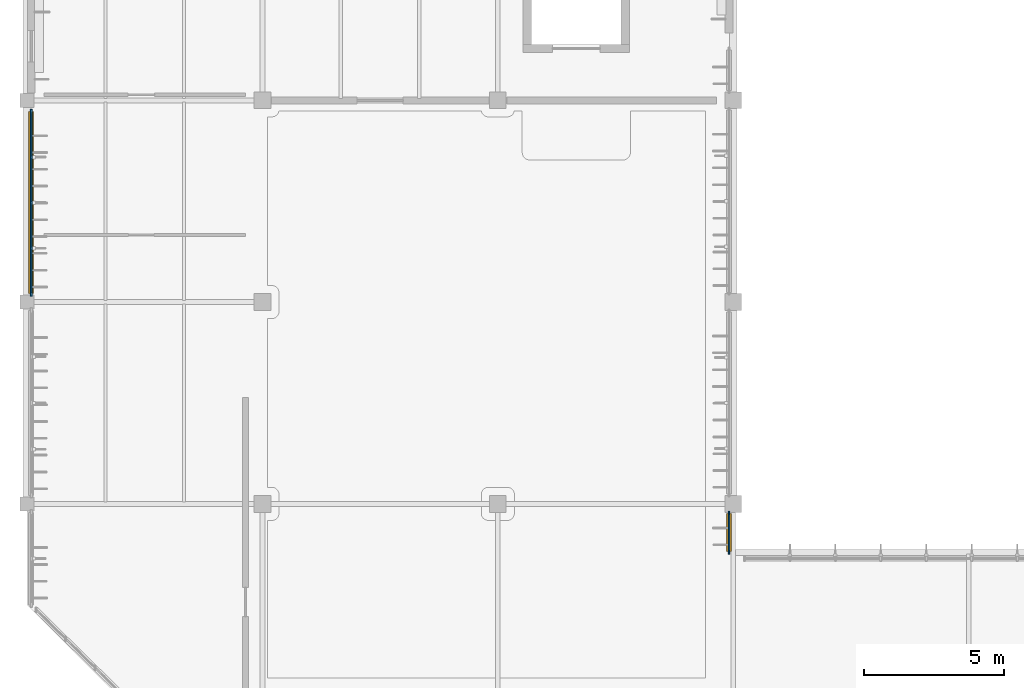
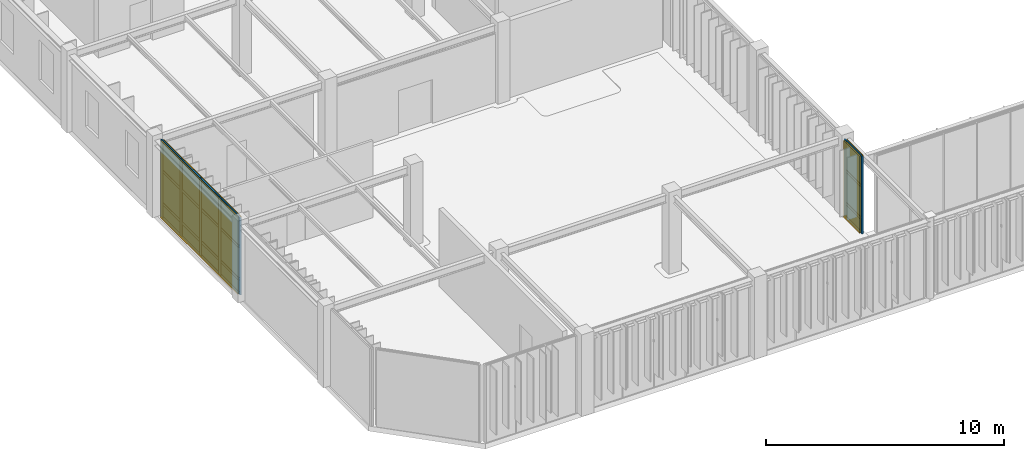
# One storey, part 67 of 104: 27 members, 15 plates, 2 curtain walls.
"""IFC4 building model written with IfcOpenShell, lengths in metres."""

from ifc_helpers import new_model, si_unit, direction, frame, frame_2d, origin, origin_2d, place, context, subcontext, project, spatial, rectangle, extrude, material, layer, layer_set, material_profile, profile_set, type_object, element, aggregate, save


model = new_model("IFC4")

# Units and contexts
model_context = context("Model", 3, precision=1e-05, world=origin(), true_north=direction((0.0, 1.0)))
body_context = subcontext(model_context, "Body", "Model", "MODEL_VIEW")
ifc_project = project(units=[si_unit("LENGTHUNIT", "METRE"), si_unit("AREAUNIT", "SQUARE_METRE"), si_unit("VOLUMEUNIT", "CUBIC_METRE"), si_unit("PLANEANGLEUNIT", "RADIAN"), si_unit("MASSUNIT", "GRAM", prefix="KILO")], contexts=[model_context])

# Member
ifc_material_1 = material(Name="Anodised Bronze Aluminium 6063-T6", Category="aluminium")
ifc_material_profile_1 = material_profile(ifc_material_1, rectangle(XDim=0.06005859375, YDim=0.179931640625, at=origin_2d()), Name="ALU MULLION 60x180")
ifc_profile_set_1 = profile_set([ifc_material_profile_1], Name="Anodised Bronze Aluminium 6063-T6")
member_type_1 = type_object("IfcMemberType", Name="Curtain-Wall Primary Mullion 60x180", PredefinedType="MULLION", material=ifc_profile_set_1)
site_placement = place(None, origin())
building_placement = place(site_placement, origin())
storey_placement = place(building_placement, frame((0.0, 0.0, 9.0)))
member_1_placement = place(storey_placement, frame((2.550048828125, 59.300048828125, 0.0), z_axis=(0.0, 0.0, 1.0), x_axis=(1.0, 0.0, 0.0)))
member_1 = element("IfcMember", 1, at=member_1_placement, type_object=member_type_1, Name="Mullion CWM-01 CW-V6-W1-L02-B3-M01", PredefinedType="MULLION", context=body_context, shape_type="SweptSolid", body=[
    extrude(rectangle(XDim=0.06005859375, YDim=0.179931640625, at=origin_2d()), origin(), (0.0, 0.0, 1.0), 3.9599609375),
])

member_2_placement = place(storey_placement, frame((2.550048828125, 60.925048828125, 0.0), z_axis=(0.0, 0.0, 1.0), x_axis=(1.0, 0.0, 0.0)))
member_2 = element("IfcMember", 2, at=member_2_placement, type_object=member_type_1, Name="Mullion CWM-01 CW-V6-W1-L02-B3-M02", PredefinedType="MULLION", context=body_context, shape_type="SweptSolid", body=[
    extrude(rectangle(XDim=0.06005859375, YDim=0.179931640625, at=origin_2d()), origin(), (0.0, 0.0, 1.0), 3.9599609375),
])

member_3_placement = place(storey_placement, frame((2.550048828125, 62.550048828125, 0.0), z_axis=(0.0, 0.0, 1.0), x_axis=(1.0, 0.0, 0.0)))
member_3 = element("IfcMember", 3, at=member_3_placement, type_object=member_type_1, Name="Mullion CWM-01 CW-V6-W1-L02-B3-M03", PredefinedType="MULLION", context=body_context, shape_type="SweptSolid", body=[
    extrude(rectangle(XDim=0.06005859375, YDim=0.179931640625, at=origin_2d()), origin(), (0.0, 0.0, 1.0), 3.9599609375),
])

member_4_placement = place(storey_placement, frame((2.550048828125, 64.175048828125, 0.0), z_axis=(0.0, 0.0, 1.0), x_axis=(1.0, 0.0, 0.0)))
member_4 = element("IfcMember", 4, at=member_4_placement, type_object=member_type_1, Name="Mullion CWM-01 CW-V6-W1-L02-B3-M04", PredefinedType="MULLION", context=body_context, shape_type="SweptSolid", body=[
    extrude(rectangle(XDim=0.06005859375, YDim=0.179931640625, at=origin_2d()), origin(), (0.0, 0.0, 1.0), 3.9599609375),
])

member_5_placement = place(storey_placement, frame((2.550048828125, 65.800048828125, 0.0), z_axis=(0.0, 0.0, 1.0), x_axis=(1.0, 0.0, 0.0)))
member_5 = element("IfcMember", 5, at=member_5_placement, type_object=member_type_1, Name="Mullion CWM-01 CW-V6-W1-L02-B3-M05", PredefinedType="MULLION", context=body_context, shape_type="SweptSolid", body=[
    extrude(rectangle(XDim=0.06005859375, YDim=0.179931640625, at=origin_2d()), origin(), (0.0, 0.0, 1.0), 3.9599609375),
])

member_6_placement = place(storey_placement, frame((27.449951171875, 50.10009765625, 0.0), z_axis=(0.0, 0.0, 1.0), x_axis=(1.0, 0.0, 0.0)))
member_6 = element("IfcMember", 6, at=member_6_placement, type_object=member_type_1, Name="Mullion CWM-01 CW-V6-E1-L02-B1-M01", PredefinedType="MULLION", context=body_context, shape_type="SweptSolid", body=[
    extrude(rectangle(XDim=0.06005859375, YDim=0.179931640625, at=origin_2d()), origin(), (0.0, 0.0, 1.0), 3.9599609375),
])

member_7_placement = place(storey_placement, frame((27.449951171875, 51.449951171875, 0.0), z_axis=(0.0, 0.0, 1.0), x_axis=(1.0, 0.0, 0.0)))
member_7 = element("IfcMember", 7, at=member_7_placement, type_object=member_type_1, Name="Mullion CWM-01 CW-V6-E1-L02-B1-M02", PredefinedType="MULLION", context=body_context, shape_type="SweptSolid", body=[
    extrude(rectangle(XDim=0.06005859375, YDim=0.179931640625, at=origin_2d()), origin(), (0.0, 0.0, 1.0), 3.9599609375),
])

ifc_material_profile_2 = material_profile(ifc_material_1, rectangle(XDim=0.06005859375, YDim=0.139892578125, at=origin_2d()), Name="ALU TRANSOM 60x140")
ifc_profile_set_2 = profile_set([ifc_material_profile_2], Name="Anodised Bronze Aluminium 6063-T6")
member_type_2 = type_object("IfcMemberType", Name="Curtain-Wall Transom 60x140", PredefinedType="USERDEFINED", material=ifc_profile_set_2)
member_8_placement = place(storey_placement, frame((2.550048828125, 59.3349609375, 0.0400390625), z_axis=(0.0, 1.0, 0.0), x_axis=(-1.0, 0.0, 0.0)))
member_8 = element("IfcMember", 8, at=member_8_placement, type_object=member_type_2, Name="Transom CWT-01 CW-V6-W1-L02-B3-T01.1", ObjectType="TRANSOM", PredefinedType="USERDEFINED", context=body_context, shape_type="SweptSolid", body=[
    extrude(rectangle(XDim=0.06005859375, YDim=0.139892578125, at=origin_2d()), origin(), (0.0, 0.0, 1.0), 1.554931640625),
])

member_9_placement = place(storey_placement, frame((2.550048828125, 59.3349609375, 0.75), z_axis=(0.0, 1.0, 0.0), x_axis=(-1.0, 0.0, 0.0)))
member_9 = element("IfcMember", 9, at=member_9_placement, type_object=member_type_2, Name="Transom CWT-01 CW-V6-W1-L02-B3-T01.2", ObjectType="TRANSOM", PredefinedType="USERDEFINED", context=body_context, shape_type="SweptSolid", body=[
    extrude(rectangle(XDim=0.06005859375, YDim=0.139892578125, at=origin_2d()), origin(), (0.0, 0.0, 1.0), 1.554931640625),
])

member_10_placement = place(storey_placement, frame((2.550048828125, 59.3349609375, 2.419189453125), z_axis=(0.0, 1.0, 0.0), x_axis=(-1.0, 0.0, 0.0)))
member_10 = element("IfcMember", 10, at=member_10_placement, type_object=member_type_2, Name="Transom CWT-01 CW-V6-W1-L02-B3-T01.3", ObjectType="TRANSOM", PredefinedType="USERDEFINED", context=body_context, shape_type="SweptSolid", body=[
    extrude(rectangle(XDim=0.06005859375, YDim=0.139892578125, at=origin_2d()), origin(), (0.0, 0.0, 1.0), 1.554931640625),
])

member_11_placement = place(storey_placement, frame((2.550048828125, 59.3349609375, 3.919921875), z_axis=(0.0, 1.0, 0.0), x_axis=(-1.0, 0.0, 0.0)))
member_11 = element("IfcMember", 11, at=member_11_placement, type_object=member_type_2, Name="Transom CWT-01 CW-V6-W1-L02-B3-T01.4", ObjectType="TRANSOM", PredefinedType="USERDEFINED", context=body_context, shape_type="SweptSolid", body=[
    extrude(rectangle(XDim=0.06005859375, YDim=0.139892578125, at=origin_2d()), origin(), (0.0, 0.0, 1.0), 1.554931640625),
])

member_12_placement = place(storey_placement, frame((2.550048828125, 60.9599609375, 0.0400390625), z_axis=(0.0, 1.0, 0.0), x_axis=(-1.0, 0.0, 0.0)))
member_12 = element("IfcMember", 12, at=member_12_placement, type_object=member_type_2, Name="Transom CWT-01 CW-V6-W1-L02-B3-T02.1", ObjectType="TRANSOM", PredefinedType="USERDEFINED", context=body_context, shape_type="SweptSolid", body=[
    extrude(rectangle(XDim=0.06005859375, YDim=0.139892578125, at=origin_2d()), origin(), (0.0, 0.0, 1.0), 1.554931640625),
])

member_13_placement = place(storey_placement, frame((2.550048828125, 60.9599609375, 0.75), z_axis=(0.0, 1.0, 0.0), x_axis=(-1.0, 0.0, 0.0)))
member_13 = element("IfcMember", 13, at=member_13_placement, type_object=member_type_2, Name="Transom CWT-01 CW-V6-W1-L02-B3-T02.2", ObjectType="TRANSOM", PredefinedType="USERDEFINED", context=body_context, shape_type="SweptSolid", body=[
    extrude(rectangle(XDim=0.06005859375, YDim=0.139892578125, at=origin_2d()), origin(), (0.0, 0.0, 1.0), 1.554931640625),
])

member_14_placement = place(storey_placement, frame((2.550048828125, 60.9599609375, 2.419189453125), z_axis=(0.0, 1.0, 0.0), x_axis=(-1.0, 0.0, 0.0)))
member_14 = element("IfcMember", 14, at=member_14_placement, type_object=member_type_2, Name="Transom CWT-01 CW-V6-W1-L02-B3-T02.3", ObjectType="TRANSOM", PredefinedType="USERDEFINED", context=body_context, shape_type="SweptSolid", body=[
    extrude(rectangle(XDim=0.06005859375, YDim=0.139892578125, at=origin_2d()), origin(), (0.0, 0.0, 1.0), 1.554931640625),
])

member_15_placement = place(storey_placement, frame((2.550048828125, 60.9599609375, 3.919921875), z_axis=(0.0, 1.0, 0.0), x_axis=(-1.0, 0.0, 0.0)))
member_15 = element("IfcMember", 15, at=member_15_placement, type_object=member_type_2, Name="Transom CWT-01 CW-V6-W1-L02-B3-T02.4", ObjectType="TRANSOM", PredefinedType="USERDEFINED", context=body_context, shape_type="SweptSolid", body=[
    extrude(rectangle(XDim=0.06005859375, YDim=0.139892578125, at=origin_2d()), origin(), (0.0, 0.0, 1.0), 1.554931640625),
])

member_16_placement = place(storey_placement, frame((2.550048828125, 62.5849609375, 0.0400390625), z_axis=(0.0, 1.0, 0.0), x_axis=(-1.0, 0.0, 0.0)))
member_16 = element("IfcMember", 16, at=member_16_placement, type_object=member_type_2, Name="Transom CWT-01 CW-V6-W1-L02-B3-T03.1", ObjectType="TRANSOM", PredefinedType="USERDEFINED", context=body_context, shape_type="SweptSolid", body=[
    extrude(rectangle(XDim=0.06005859375, YDim=0.139892578125, at=origin_2d()), origin(), (0.0, 0.0, 1.0), 1.554931640625),
])

member_17_placement = place(storey_placement, frame((2.550048828125, 62.5849609375, 0.75), z_axis=(0.0, 1.0, 0.0), x_axis=(-1.0, 0.0, 0.0)))
member_17 = element("IfcMember", 17, at=member_17_placement, type_object=member_type_2, Name="Transom CWT-01 CW-V6-W1-L02-B3-T03.2", ObjectType="TRANSOM", PredefinedType="USERDEFINED", context=body_context, shape_type="SweptSolid", body=[
    extrude(rectangle(XDim=0.06005859375, YDim=0.139892578125, at=origin_2d()), origin(), (0.0, 0.0, 1.0), 1.554931640625),
])

member_18_placement = place(storey_placement, frame((2.550048828125, 62.5849609375, 2.419189453125), z_axis=(0.0, 1.0, 0.0), x_axis=(-1.0, 0.0, 0.0)))
member_18 = element("IfcMember", 18, at=member_18_placement, type_object=member_type_2, Name="Transom CWT-01 CW-V6-W1-L02-B3-T03.3", ObjectType="TRANSOM", PredefinedType="USERDEFINED", context=body_context, shape_type="SweptSolid", body=[
    extrude(rectangle(XDim=0.06005859375, YDim=0.139892578125, at=origin_2d()), origin(), (0.0, 0.0, 1.0), 1.554931640625),
])

member_19_placement = place(storey_placement, frame((2.550048828125, 62.5849609375, 3.919921875), z_axis=(0.0, 1.0, 0.0), x_axis=(-1.0, 0.0, 0.0)))
member_19 = element("IfcMember", 19, at=member_19_placement, type_object=member_type_2, Name="Transom CWT-01 CW-V6-W1-L02-B3-T03.4", ObjectType="TRANSOM", PredefinedType="USERDEFINED", context=body_context, shape_type="SweptSolid", body=[
    extrude(rectangle(XDim=0.06005859375, YDim=0.139892578125, at=origin_2d()), origin(), (0.0, 0.0, 1.0), 1.554931640625),
])

member_20_placement = place(storey_placement, frame((2.550048828125, 64.2099609375, 0.0400390625), z_axis=(0.0, 1.0, 0.0), x_axis=(-1.0, 0.0, 0.0)))
member_20 = element("IfcMember", 20, at=member_20_placement, type_object=member_type_2, Name="Transom CWT-01 CW-V6-W1-L02-B3-T04.1", ObjectType="TRANSOM", PredefinedType="USERDEFINED", context=body_context, shape_type="SweptSolid", body=[
    extrude(rectangle(XDim=0.06005859375, YDim=0.139892578125, at=origin_2d()), origin(), (0.0, 0.0, 1.0), 1.554931640625),
])

member_21_placement = place(storey_placement, frame((2.550048828125, 64.2099609375, 0.75), z_axis=(0.0, 1.0, 0.0), x_axis=(-1.0, 0.0, 0.0)))
member_21 = element("IfcMember", 21, at=member_21_placement, type_object=member_type_2, Name="Transom CWT-01 CW-V6-W1-L02-B3-T04.2", ObjectType="TRANSOM", PredefinedType="USERDEFINED", context=body_context, shape_type="SweptSolid", body=[
    extrude(rectangle(XDim=0.06005859375, YDim=0.139892578125, at=origin_2d()), origin(), (0.0, 0.0, 1.0), 1.554931640625),
])

member_22_placement = place(storey_placement, frame((2.550048828125, 64.2099609375, 2.419189453125), z_axis=(0.0, 1.0, 0.0), x_axis=(-1.0, 0.0, 0.0)))
member_22 = element("IfcMember", 22, at=member_22_placement, type_object=member_type_2, Name="Transom CWT-01 CW-V6-W1-L02-B3-T04.3", ObjectType="TRANSOM", PredefinedType="USERDEFINED", context=body_context, shape_type="SweptSolid", body=[
    extrude(rectangle(XDim=0.06005859375, YDim=0.139892578125, at=origin_2d()), origin(), (0.0, 0.0, 1.0), 1.554931640625),
])

member_23_placement = place(storey_placement, frame((2.550048828125, 64.2099609375, 3.919921875), z_axis=(0.0, 1.0, 0.0), x_axis=(-1.0, 0.0, 0.0)))
member_23 = element("IfcMember", 23, at=member_23_placement, type_object=member_type_2, Name="Transom CWT-01 CW-V6-W1-L02-B3-T04.4", ObjectType="TRANSOM", PredefinedType="USERDEFINED", context=body_context, shape_type="SweptSolid", body=[
    extrude(rectangle(XDim=0.06005859375, YDim=0.139892578125, at=origin_2d()), origin(), (0.0, 0.0, 1.0), 1.554931640625),
])

member_24_placement = place(storey_placement, frame((27.449951171875, 50.135009765625, 0.0400390625), z_axis=(0.0, 1.0, 0.0), x_axis=(-1.0, 0.0, 0.0)))
member_24 = element("IfcMember", 24, at=member_24_placement, type_object=member_type_2, Name="Transom CWT-01 CW-V6-E1-L02-B1-T01.1", ObjectType="TRANSOM", PredefinedType="USERDEFINED", context=body_context, shape_type="SweptSolid", body=[
    extrude(rectangle(XDim=0.06005859375, YDim=0.139892578125, at=origin_2d()), origin(), (0.0, 0.0, 1.0), 1.280029296875),
])

member_25_placement = place(storey_placement, frame((27.449951171875, 50.135009765625, 0.75), z_axis=(0.0, 1.0, 0.0), x_axis=(-1.0, 0.0, 0.0)))
member_25 = element("IfcMember", 25, at=member_25_placement, type_object=member_type_2, Name="Transom CWT-01 CW-V6-E1-L02-B1-T01.2", ObjectType="TRANSOM", PredefinedType="USERDEFINED", context=body_context, shape_type="SweptSolid", body=[
    extrude(rectangle(XDim=0.06005859375, YDim=0.139892578125, at=origin_2d()), origin(), (0.0, 0.0, 1.0), 1.280029296875),
])

member_26_placement = place(storey_placement, frame((27.449951171875, 50.135009765625, 2.419189453125), z_axis=(0.0, 1.0, 0.0), x_axis=(-1.0, 0.0, 0.0)))
member_26 = element("IfcMember", 26, at=member_26_placement, type_object=member_type_2, Name="Transom CWT-01 CW-V6-E1-L02-B1-T01.3", ObjectType="TRANSOM", PredefinedType="USERDEFINED", context=body_context, shape_type="SweptSolid", body=[
    extrude(rectangle(XDim=0.06005859375, YDim=0.139892578125, at=origin_2d()), origin(), (0.0, 0.0, 1.0), 1.280029296875),
])

member_27_placement = place(storey_placement, frame((27.449951171875, 50.135009765625, 3.919921875), z_axis=(0.0, 1.0, 0.0), x_axis=(-1.0, 0.0, 0.0)))
member_27 = element("IfcMember", 27, at=member_27_placement, type_object=member_type_2, Name="Transom CWT-01 CW-V6-E1-L02-B1-T01.4", ObjectType="TRANSOM", PredefinedType="USERDEFINED", context=body_context, shape_type="SweptSolid", body=[
    extrude(rectangle(XDim=0.06005859375, YDim=0.139892578125, at=origin_2d()), origin(), (0.0, 0.0, 1.0), 1.280029296875),
])

# Plate
ifc_material_2 = material(Name="Insulated Bronze Aluminium Spandrel Panel", Category="aluminium")
ifc_layer_1 = layer(ifc_material_2, 0.050048828125, Name="Insulated Bronze Aluminium Spandrel Panel")
ifc_layer_set_1 = layer_set([ifc_layer_1], Name="Insulated Bronze Aluminium Spandrel Panel")
plate_type_1 = type_object("IfcPlateType", Name="Insulated Anodised Aluminium Spandrel Cassette 50", PredefinedType="CURTAIN_PANEL", material=ifc_layer_set_1)
plate_1_placement = place(storey_placement, frame((2.550048828125, 60.112548828125, 0.070068359375), z_axis=(0.0, 0.0, 1.0), x_axis=(0.0, 1.0, 0.0)))
plate_1 = element("IfcPlate", 28, at=plate_1_placement, type_object=plate_type_1, Name="Curtain Panel CWP-03 CW-V6-W1-L02-B3-P01.1", PredefinedType="CURTAIN_PANEL", context=body_context, shape_type="SweptSolid", body=[
    extrude(rectangle(XDim=1.554931640625, YDim=0.050048828125, at=origin_2d()), origin(), (0.0, 0.0, 1.0), 0.64990234375),
])

plate_2_placement = place(storey_placement, frame((2.550048828125, 61.737548828125, 0.070068359375), z_axis=(0.0, 0.0, 1.0), x_axis=(0.0, 1.0, 0.0)))
plate_2 = element("IfcPlate", 29, at=plate_2_placement, type_object=plate_type_1, Name="Curtain Panel CWP-03 CW-V6-W1-L02-B3-P02.1", PredefinedType="CURTAIN_PANEL", context=body_context, shape_type="SweptSolid", body=[
    extrude(rectangle(XDim=1.554931640625, YDim=0.050048828125, at=origin_2d()), origin(), (0.0, 0.0, 1.0), 0.64990234375),
])

plate_3_placement = place(storey_placement, frame((2.550048828125, 63.362548828125, 0.070068359375), z_axis=(0.0, 0.0, 1.0), x_axis=(0.0, 1.0, 0.0)))
plate_3 = element("IfcPlate", 30, at=plate_3_placement, type_object=plate_type_1, Name="Curtain Panel CWP-03 CW-V6-W1-L02-B3-P03.1", PredefinedType="CURTAIN_PANEL", context=body_context, shape_type="SweptSolid", body=[
    extrude(rectangle(XDim=1.554931640625, YDim=0.050048828125, at=origin_2d()), origin(), (0.0, 0.0, 1.0), 0.64990234375),
])

plate_4_placement = place(storey_placement, frame((2.550048828125, 64.987548828125, 0.070068359375), z_axis=(0.0, 0.0, 1.0), x_axis=(0.0, 1.0, 0.0)))
plate_4 = element("IfcPlate", 31, at=plate_4_placement, type_object=plate_type_1, Name="Curtain Panel CWP-03 CW-V6-W1-L02-B3-P04.1", PredefinedType="CURTAIN_PANEL", context=body_context, shape_type="SweptSolid", body=[
    extrude(rectangle(XDim=1.554931640625, YDim=0.050048828125, at=origin_2d()), origin(), (0.0, 0.0, 1.0), 0.64990234375),
])

plate_5_placement = place(storey_placement, frame((27.449951171875, 50.77490234375, 0.070068359375), z_axis=(0.0, 0.0, 1.0), x_axis=(0.0, 1.0, 0.0)))
plate_5 = element("IfcPlate", 32, at=plate_5_placement, type_object=plate_type_1, Name="Curtain Panel CWP-03 CW-V6-E1-L02-B1-P01.1", PredefinedType="CURTAIN_PANEL", context=body_context, shape_type="SweptSolid", body=[
    extrude(rectangle(XDim=1.280029296875, YDim=0.050048828125, at=origin_2d()), origin(), (0.0, 0.0, 1.0), 0.64990234375),
])

ifc_material_3 = material(Name="Solar-Control Tempered Double Glazing", Category="glass")
ifc_layer_2 = layer(ifc_material_3, 0.0380859375, Name="Solar-Control Tempered Double Glazing")
ifc_layer_set_2 = layer_set([ifc_layer_2], Name="Solar-Control Tempered Double Glazing")
plate_type_2 = type_object("IfcPlateType", Name="Solar-Control Vision Glazing Unit 38", PredefinedType="CURTAIN_PANEL", material=ifc_layer_set_2)
plate_6_placement = place(storey_placement, frame((2.550048828125, 60.112548828125, 0.7802734375), z_axis=(0.0, 0.0, 1.0), x_axis=(0.0, 1.0, 0.0)))
plate_6 = element("IfcPlate", 33, at=plate_6_placement, type_object=plate_type_2, Name="Curtain Panel CWP-02 CW-V6-W1-L02-B3-P01.2", PredefinedType="CURTAIN_PANEL", context=body_context, shape_type="SweptSolid", body=[
    extrude(rectangle(XDim=1.554931640625, YDim=0.0380859375, at=origin_2d()), origin(), (0.0, 0.0, 1.0), 1.609130859375),
])

plate_7_placement = place(storey_placement, frame((2.550048828125, 60.112548828125, 2.44921875), z_axis=(0.0, 0.0, 1.0), x_axis=(0.0, 1.0, 0.0)))
plate_7 = element("IfcPlate", 34, at=plate_7_placement, type_object=plate_type_2, Name="Curtain Panel CWP-02 CW-V6-W1-L02-B3-P01.3", PredefinedType="CURTAIN_PANEL", context=body_context, shape_type="SweptSolid", body=[
    extrude(rectangle(XDim=1.554931640625, YDim=0.0380859375, at=origin_2d()), origin(), (0.0, 0.0, 1.0), 1.44091796875),
])

plate_8_placement = place(storey_placement, frame((2.550048828125, 61.737548828125, 0.7802734375), z_axis=(0.0, 0.0, 1.0), x_axis=(0.0, 1.0, 0.0)))
plate_8 = element("IfcPlate", 35, at=plate_8_placement, type_object=plate_type_2, Name="Curtain Panel CWP-02 CW-V6-W1-L02-B3-P02.2", PredefinedType="CURTAIN_PANEL", context=body_context, shape_type="SweptSolid", body=[
    extrude(rectangle(XDim=1.554931640625, YDim=0.0380859375, at=origin_2d()), origin(), (0.0, 0.0, 1.0), 1.609130859375),
])

plate_9_placement = place(storey_placement, frame((2.550048828125, 61.737548828125, 2.44921875), z_axis=(0.0, 0.0, 1.0), x_axis=(0.0, 1.0, 0.0)))
plate_9 = element("IfcPlate", 36, at=plate_9_placement, type_object=plate_type_2, Name="Curtain Panel CWP-02 CW-V6-W1-L02-B3-P02.3", PredefinedType="CURTAIN_PANEL", context=body_context, shape_type="SweptSolid", body=[
    extrude(rectangle(XDim=1.554931640625, YDim=0.0380859375, at=origin_2d()), origin(), (0.0, 0.0, 1.0), 1.44091796875),
])

plate_10_placement = place(storey_placement, frame((2.550048828125, 63.362548828125, 0.7802734375), z_axis=(0.0, 0.0, 1.0), x_axis=(0.0, 1.0, 0.0)))
plate_10 = element("IfcPlate", 37, at=plate_10_placement, type_object=plate_type_2, Name="Curtain Panel CWP-02 CW-V6-W1-L02-B3-P03.2", PredefinedType="CURTAIN_PANEL", context=body_context, shape_type="SweptSolid", body=[
    extrude(rectangle(XDim=1.554931640625, YDim=0.0380859375, at=origin_2d()), origin(), (0.0, 0.0, 1.0), 1.609130859375),
])

plate_11_placement = place(storey_placement, frame((2.550048828125, 63.362548828125, 2.44921875), z_axis=(0.0, 0.0, 1.0), x_axis=(0.0, 1.0, 0.0)))
plate_11 = element("IfcPlate", 38, at=plate_11_placement, type_object=plate_type_2, Name="Curtain Panel CWP-02 CW-V6-W1-L02-B3-P03.3", PredefinedType="CURTAIN_PANEL", context=body_context, shape_type="SweptSolid", body=[
    extrude(rectangle(XDim=1.554931640625, YDim=0.0380859375, at=origin_2d()), origin(), (0.0, 0.0, 1.0), 1.44091796875),
])

plate_12_placement = place(storey_placement, frame((2.550048828125, 64.987548828125, 0.7802734375), z_axis=(0.0, 0.0, 1.0), x_axis=(0.0, 1.0, 0.0)))
plate_12 = element("IfcPlate", 39, at=plate_12_placement, type_object=plate_type_2, Name="Curtain Panel CWP-02 CW-V6-W1-L02-B3-P04.2", PredefinedType="CURTAIN_PANEL", context=body_context, shape_type="SweptSolid", body=[
    extrude(rectangle(XDim=1.554931640625, YDim=0.0380859375, at=origin_2d()), origin(), (0.0, 0.0, 1.0), 1.609130859375),
])

plate_13_placement = place(storey_placement, frame((2.550048828125, 64.987548828125, 2.44921875), z_axis=(0.0, 0.0, 1.0), x_axis=(0.0, 1.0, 0.0)))
plate_13 = element("IfcPlate", 40, at=plate_13_placement, type_object=plate_type_2, Name="Curtain Panel CWP-02 CW-V6-W1-L02-B3-P04.3", PredefinedType="CURTAIN_PANEL", context=body_context, shape_type="SweptSolid", body=[
    extrude(rectangle(XDim=1.554931640625, YDim=0.0380859375, at=origin_2d()), origin(), (0.0, 0.0, 1.0), 1.44091796875),
])

plate_14_placement = place(storey_placement, frame((27.449951171875, 50.77490234375, 0.7802734375), z_axis=(0.0, 0.0, 1.0), x_axis=(0.0, 1.0, 0.0)))
plate_14 = element("IfcPlate", 41, at=plate_14_placement, type_object=plate_type_2, Name="Curtain Panel CWP-02 CW-V6-E1-L02-B1-P01.2", PredefinedType="CURTAIN_PANEL", context=body_context, shape_type="SweptSolid", body=[
    extrude(rectangle(XDim=1.280029296875, YDim=0.0380859375, at=origin_2d()), origin(), (0.0, 0.0, 1.0), 1.609130859375),
])

plate_15_placement = place(storey_placement, frame((27.449951171875, 50.77490234375, 2.44921875), z_axis=(0.0, 0.0, 1.0), x_axis=(0.0, 1.0, 0.0)))
plate_15 = element("IfcPlate", 42, at=plate_15_placement, type_object=plate_type_2, Name="Curtain Panel CWP-02 CW-V6-E1-L02-B1-P01.3", PredefinedType="CURTAIN_PANEL", context=body_context, shape_type="SweptSolid", body=[
    extrude(rectangle(XDim=1.280029296875, YDim=0.0380859375, at=origin_2d()), origin(), (0.0, 0.0, 1.0), 1.44091796875),
])

# Site, building, storey
site = spatial("IfcSite", under=ifc_project, at=site_placement, CompositionType="ELEMENT")
building = spatial("IfcBuilding", under=site, at=building_placement, Name="Tazoul Stagehouse", CompositionType="ELEMENT")
storey = spatial("IfcBuildingStorey", under=building, at=storey_placement, Name="L02", CompositionType="ELEMENT", Elevation=9.0)

# Curtain wall
curtain_wall_type = type_object("IfcCurtainWallType", Name="Foyer Clear Solar-Control Curtain Wall", PredefinedType="NOTDEFINED", material=ifc_material_1)
curtain_wall_1_placement = place(storey_placement, frame((2.550048828125, 59.300048828125, 0.0), z_axis=(0.0, 0.0, 1.0), x_axis=(0.0, 1.0, 0.0)))
curtain_wall_1 = element("IfcCurtainWall", 43, at=curtain_wall_1_placement, inside=storey, type_object=curtain_wall_type, Name="L02 Curtain Wall CW-02 (CW-V6-W1-L02-B3)", PredefinedType="NOTDEFINED", context=body_context, shape_type="SweptSolid", body=[
    extrude(rectangle(XDim=6.5, YDim=0.179931640625, at=frame_2d((3.25, 0.0))), origin(), (0.0, 0.0, 1.0), 3.9599609375),
])

aggregate(curtain_wall_1, [member_1, member_2, member_3, member_4, member_5, member_8, member_9, member_10, member_11, plate_1, plate_6, plate_7, member_12, member_13, member_14, member_15, plate_2, plate_8, plate_9, member_16, member_17, member_18, member_19, plate_3, plate_10, plate_11, member_20, member_21, member_22, member_23, plate_4, plate_12, plate_13])

curtain_wall_2_placement = place(storey_placement, frame((27.449951171875, 50.10009765625, 0.0), z_axis=(0.0, 0.0, 1.0), x_axis=(0.0, 1.0, 0.0)))
curtain_wall_2 = element("IfcCurtainWall", 44, at=curtain_wall_2_placement, inside=storey, type_object=curtain_wall_type, Name="L02 Curtain Wall CW-02 (CW-V6-E1-L02-B1)", PredefinedType="NOTDEFINED", context=body_context, shape_type="SweptSolid", body=[
    extrude(rectangle(XDim=1.349853515625, YDim=0.179931640625, at=frame_2d((0.6748046875, 0.0))), origin(), (0.0, 0.0, 1.0), 3.9599609375),
])

aggregate(curtain_wall_2, [member_6, member_7, member_24, member_25, member_26, member_27, plate_5, plate_14, plate_15])

save(model, "model.ifc")
